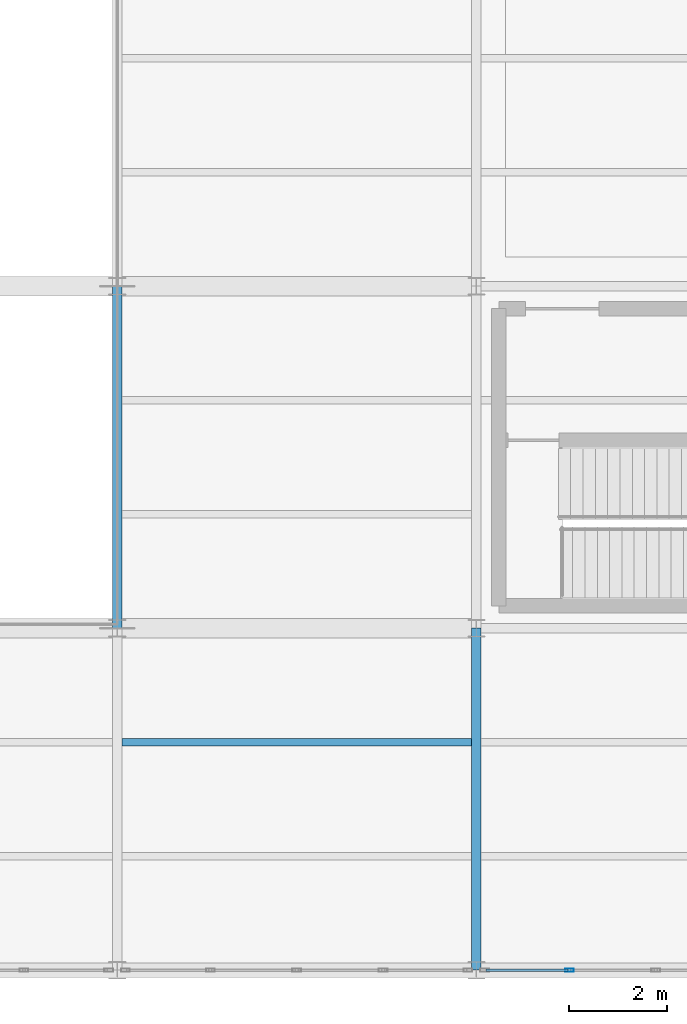
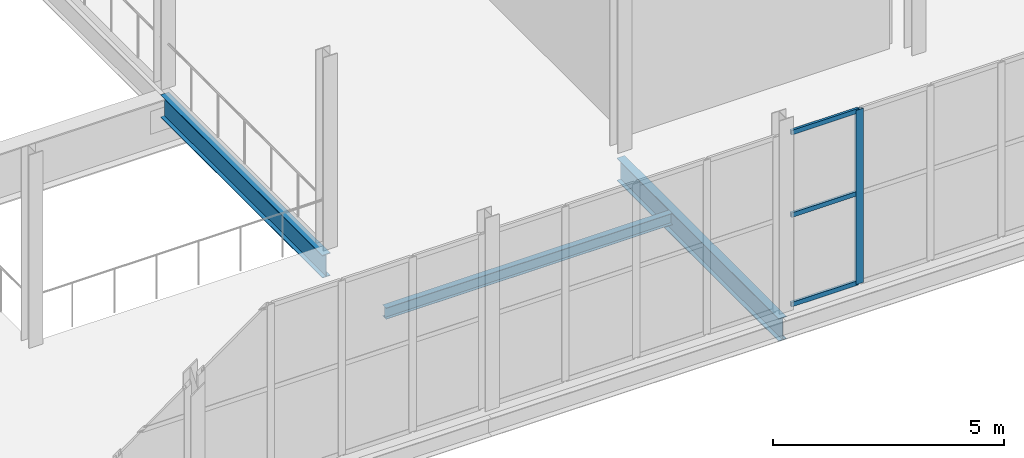
# One storey, part 37 of 218: 4 members, 3 beams, 1 element without a shape of its own.
"""IFC4 building model written with IfcOpenShell, lengths in metres."""

from ifc_helpers import new_model, si_unit, direction, frame, origin, origin_2d, place, context, subcontext, project, spatial, hollow_rectangle, i_section, extrude, material, material_profile, profile_set, type_object, element, aggregate, save


model = new_model("IFC4")

# Units and contexts
model_context = context("Model", 3, precision=1e-05, world=origin(), true_north=direction((0.0, 1.0)))
body_context = subcontext(model_context, "Body", "Model", "MODEL_VIEW")
ifc_project = project(units=[si_unit("LENGTHUNIT", "METRE"), si_unit("AREAUNIT", "SQUARE_METRE"), si_unit("VOLUMEUNIT", "CUBIC_METRE"), si_unit("PLANEANGLEUNIT", "RADIAN"), si_unit("MASSUNIT", "GRAM", prefix="KILO")], contexts=[model_context])

# Site, building, storey
site_placement = place(None, origin())
site = spatial("IfcSite", under=ifc_project, at=site_placement, CompositionType="ELEMENT")
building_placement = place(site_placement, origin())
building = spatial("IfcBuilding", under=site, at=building_placement, Name="Kazenagashi Tramway Depot", CompositionType="ELEMENT")
storey_placement = place(building_placement, frame((0.0, 0.0, 6.0)))
storey = spatial("IfcBuildingStorey", under=building, at=storey_placement, Name="L02", CompositionType="ELEMENT", Elevation=6.0)

# Beams
ifc_material_1 = material(Name="Steel SN490B", Category="steel")
ifc_material_profile_1 = material_profile(ifc_material_1, i_section(OverallWidth=0.2, OverallDepth=0.6, WebThickness=0.011, FlangeThickness=0.017, at=origin_2d()), Name="H-600x200x11x17")
ifc_profile_set_1 = profile_set([ifc_material_profile_1], Name="Steel SN490B")
beam_type_1 = type_object("IfcBeamType", Name="G-03", PredefinedType="BEAM", material=ifc_profile_set_1)
for number, where, z_axis, x_axis, name in (
    (1, (22.05, 7.0, -0.55), (0.0, 1.0, 0.0), (-1.0, 0.0, 0.0), "Beam G-03 BM-0133"),
    (2, (29.4, 0.0, -0.55), (0.0, 1.0, 0.0), (-1.0, 0.0, 0.0), "Beam G-03 BM-0156"),
):
    element("IfcBeam", number, at=place(storey_placement, frame(where, z_axis=z_axis, x_axis=x_axis)), inside=storey, type_object=beam_type_1, Name=name, PredefinedType="BEAM", context=body_context, shape_type="SweptSolid", body=[
        extrude(i_section(OverallWidth=0.2, OverallDepth=0.6, WebThickness=0.011, FlangeThickness=0.017, at=origin_2d()), origin(), (0.0, 0.0, 1.0), 7.0),
    ])
ifc_material_2 = material(Name="Steel SN400B", Category="steel")
ifc_material_profile_2 = material_profile(ifc_material_2, i_section(OverallWidth=0.15, OverallDepth=0.3, WebThickness=0.0065, FlangeThickness=0.009, at=origin_2d()), Name="H-300x150x6.5x9")
ifc_profile_set_2 = profile_set([ifc_material_profile_2], Name="Steel SN400B")
beam_type_2 = type_object("IfcBeamType", Name="J-02", PredefinedType="JOIST", material=ifc_profile_set_2)
beam_placement = place(storey_placement, frame((22.15, 4.667, -0.4), z_axis=(1.0, 0.0, 0.0), x_axis=(0.0, 1.0, 0.0)))
element("IfcBeam", 3, at=beam_placement, inside=storey, type_object=beam_type_2, Name="Beam J-02 BM-0132", PredefinedType="JOIST", context=body_context, shape_type="SweptSolid", body=[
    extrude(i_section(OverallWidth=0.15, OverallDepth=0.3, WebThickness=0.0065, FlangeThickness=0.009, at=origin_2d()), origin(), (0.0, 0.0, 1.0), 7.15),
])

# Curtain wall, members
ifc_material_3 = material(Name="Anodised Aluminium and Low-E Glazing", Category="aluminium")
curtain_wall_type = type_object("IfcCurtainWallType", Name="CW-25", PredefinedType="USERDEFINED", material=ifc_material_3)
curtain_wall_placement = place(storey_placement, origin())
curtain_wall = element("IfcCurtainWall", 4, at=curtain_wall_placement, inside=storey, type_object=curtain_wall_type, Name="Industrial Glazed Screen CW-25 CW-0141", ObjectType="GLAZED SCREEN", PredefinedType="USERDEFINED")
ifc_material_4 = material(Name="Anodised Aluminium", Category="aluminium")
ifc_material_profile_3 = material_profile(ifc_material_4, hollow_rectangle(XDim=0.07, YDim=0.18, WallThickness=0.005, at=origin_2d()), Name="RHS-180x70x5")
ifc_profile_set_3 = profile_set([ifc_material_profile_3], Name="Anodised Aluminium")
member_type_1 = type_object("IfcMemberType", Name="ML-02", PredefinedType="MULLION", material=ifc_profile_set_3)
member_1_placement = place(storey_placement, frame((31.3075, 0.0, 0.0), z_axis=(0.0, 0.0, 1.0), x_axis=(0.0, 1.0, 0.0)))
member_1 = element("IfcMember", 5, at=member_1_placement, type_object=member_type_1, Name="CW-25 mullion 2", PredefinedType="MULLION", context=body_context, shape_type="SweptSolid", body=[
    extrude(hollow_rectangle(XDim=0.07, YDim=0.18, WallThickness=0.005, at=origin_2d()), origin(), (0.0, 0.0, 1.0), 4.6),
])
ifc_material_profile_4 = material_profile(ifc_material_4, hollow_rectangle(XDim=0.06, YDim=0.12, WallThickness=0.004, at=origin_2d()), Name="RHS-120x60x4")
ifc_profile_set_4 = profile_set([ifc_material_profile_4], Name="Anodised Aluminium")
member_type_2 = type_object("IfcMemberType", Name="TR-01", PredefinedType="USERDEFINED", material=ifc_profile_set_4)
member_2_placement = place(storey_placement, frame((29.6, 0.0, 0.03), z_axis=(1.0, 0.0, 0.0), x_axis=(0.0, 1.0, 0.0)))
member_2 = element("IfcMember", 6, at=member_2_placement, type_object=member_type_2, Name="CW-25 transom 1.1", ObjectType="TRANSOM", PredefinedType="USERDEFINED", context=body_context, shape_type="SweptSolid", body=[
    extrude(hollow_rectangle(XDim=0.06, YDim=0.12, WallThickness=0.004, at=origin_2d()), origin(), (0.0, 0.0, 1.0), 1.6775),
])
member_3_placement = place(storey_placement, frame((29.6, 0.0, 2.392), z_axis=(1.0, 0.0, 0.0), x_axis=(0.0, 1.0, 0.0)))
member_3 = element("IfcMember", 7, at=member_3_placement, type_object=member_type_2, Name="CW-25 transom 1.2", ObjectType="TRANSOM", PredefinedType="USERDEFINED", context=body_context, shape_type="SweptSolid", body=[
    extrude(hollow_rectangle(XDim=0.06, YDim=0.12, WallThickness=0.004, at=origin_2d()), origin(), (0.0, 0.0, 1.0), 1.6775),
])
member_4_placement = place(storey_placement, frame((29.6, 0.0, 4.57), z_axis=(1.0, 0.0, 0.0), x_axis=(0.0, 1.0, 0.0)))
member_4 = element("IfcMember", 8, at=member_4_placement, type_object=member_type_2, Name="CW-25 transom 1.3", ObjectType="TRANSOM", PredefinedType="USERDEFINED", context=body_context, shape_type="SweptSolid", body=[
    extrude(hollow_rectangle(XDim=0.06, YDim=0.12, WallThickness=0.004, at=origin_2d()), origin(), (0.0, 0.0, 1.0), 1.6775),
])
aggregate(curtain_wall, [member_1, member_2, member_3, member_4])

save(model, "model.ifc")
